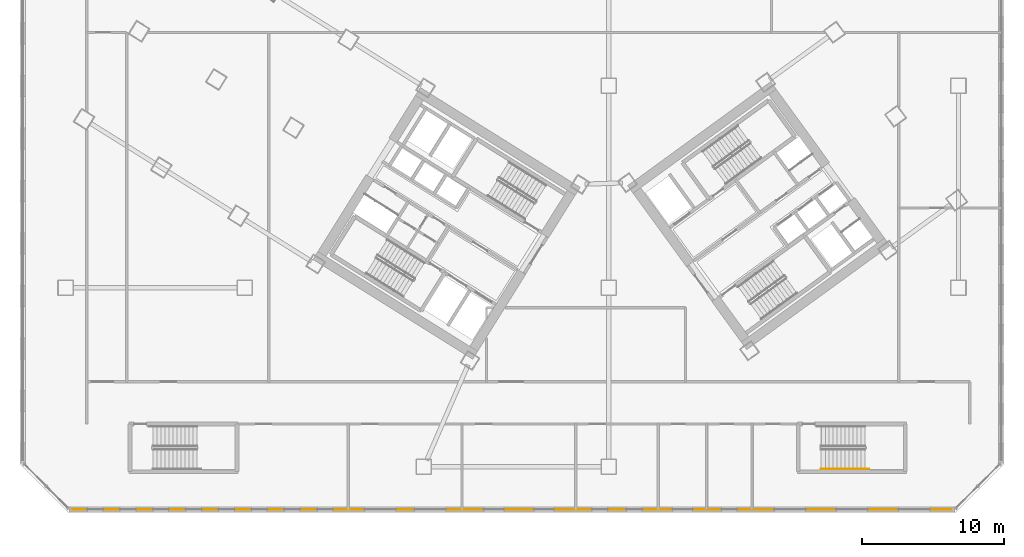
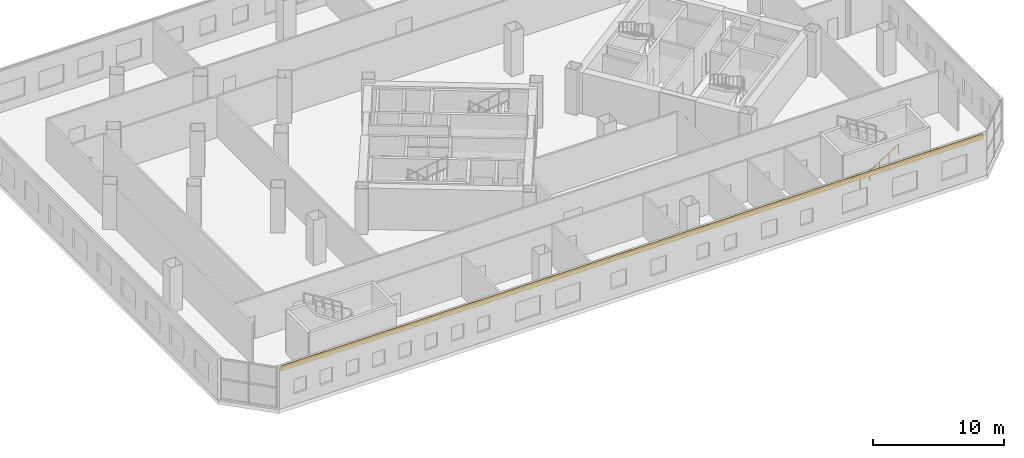
# One storey, part 19 of 22: 1 covering, 1 railing.
"""IFC4 building model written with IfcOpenShell, lengths in metres."""

from ifc_helpers import new_model, si_unit, direction, frame, origin, origin_2d, place, context, subcontext, project, spatial, rectangle, extrude, source, transform, mapped, material, layer, layer_set, type_object, element, save


model = new_model("IFC4")

# Units and contexts
model_context = context("Model", 3, precision=1e-05, world=origin(), true_north=direction((0.0, 1.0)))
body_context = subcontext(model_context, "Body", "Model", "MODEL_VIEW")
ifc_project = project(units=[si_unit("LENGTHUNIT", "METRE"), si_unit("AREAUNIT", "SQUARE_METRE"), si_unit("VOLUMEUNIT", "CUBIC_METRE"), si_unit("PLANEANGLEUNIT", "RADIAN"), si_unit("MASSUNIT", "GRAM", prefix="KILO")], contexts=[model_context])

# Site, building, storey
site_placement = place(None, origin())
site = spatial("IfcSite", under=ifc_project, at=site_placement, CompositionType="ELEMENT")
building_placement = place(site_placement, origin())
building = spatial("IfcBuilding", under=site, at=building_placement, Name="Tlacorven Tower", CompositionType="ELEMENT")
storey_placement = place(building_placement, frame((0.0, 0.0, 10.199951171875)))
storey = spatial("IfcBuildingStorey", under=building, at=storey_placement, Name="L02", CompositionType="ELEMENT", Elevation=10.199951171875)

# Covering
ifc_material_1 = material(Name="Precast concrete C45/55", Category="concrete")
ifc_layer = layer(ifc_material_1, 0.06005859375)
ifc_layer_set = layer_set([ifc_layer], Name="Precast concrete C45/55")
covering_type = type_object("IfcCoveringType", Name="CV-CLD-TERC", PredefinedType="CLADDING", material=ifc_layer_set)
shared_shape_1 = source(origin(), body_context, "Body", "SweptSolid", [
    extrude(rectangle(XDim=61.834228515625, YDim=0.06005859375, at=origin_2d()), origin(), (0.0, 0.0, 1.0), 0.47998046875),
])
covering_placement = place(storey_placement, frame((36.0, 1.60009765625, 3.3701171875), z_axis=(0.0, 0.0, 1.0), x_axis=(-1.0, 0.0, 0.0)))
element("IfcCovering", 1, at=covering_placement, inside=storey, type_object=covering_type, Name="L02 Expressed Terracotta Masonry Spandrel Band 8", PredefinedType="CLADDING", context=body_context, shape_type="MappedRepresentation", body=[
    mapped(shared_shape_1, transform((0.0, 0.0, 0.0), scale=1.0)),
])

# Railing
ifc_material_2 = material(Name="Aluminium and painted steel balustrade", Category="steel")
railing_type = type_object("IfcRailingType", Name="RL-HND-0900", PredefinedType="HANDRAIL", material=ifc_material_2)
shared_shape_2 = source(origin(), body_context, "Body", "SweptSolid", [
    extrude(rectangle(XDim=0.048095703125, YDim=0.048095703125, at=origin_2d()), frame((0.0, 0.0, 0.8759765625), z_axis=(0.847994842521, 0.0, 0.530004478338), x_axis=(0.0, 1.0, 0.0)), (0.0, 0.0, 1.0), 3.96240234375),
    extrude(rectangle(XDim=0.0419921875, YDim=0.0419921875, at=origin_2d()), origin(), (0.0, 0.0, 1.0), 0.851806640625),
    extrude(rectangle(XDim=0.0419921875, YDim=0.0419921875, at=origin_2d()), frame((0.840087890625, 0.0, 0.52490234375)), (0.0, 0.0, 1.0), 0.851806640625),
    extrude(rectangle(XDim=0.0419921875, YDim=0.0419921875, at=origin_2d()), frame((1.68017578125, 0.0, 1.050048828125)), (0.0, 0.0, 1.0), 0.851806640625),
    extrude(rectangle(XDim=0.0419921875, YDim=0.0419921875, at=origin_2d()), frame((2.52001953125, 0.0, 1.5751953125)), (0.0, 0.0, 1.0), 0.851806640625),
    extrude(rectangle(XDim=0.0419921875, YDim=0.0419921875, at=origin_2d()), frame((3.360107421875, 0.0, 2.10009765625)), (0.0, 0.0, 1.0), 0.851806640625),
])
railing_placement = place(storey_placement, frame((57.75, 4.449951171875, 0.175048828125)))
element("IfcRailing", 2, at=railing_placement, inside=storey, type_object=railing_type, Name="L02 ST-P2 stair handrail 1", PredefinedType="HANDRAIL", context=body_context, shape_type="MappedRepresentation", body=[
    mapped(shared_shape_2, transform((0.0, 0.0, 0.0), scale=1.0)),
])

save(model, "model.ifc")
